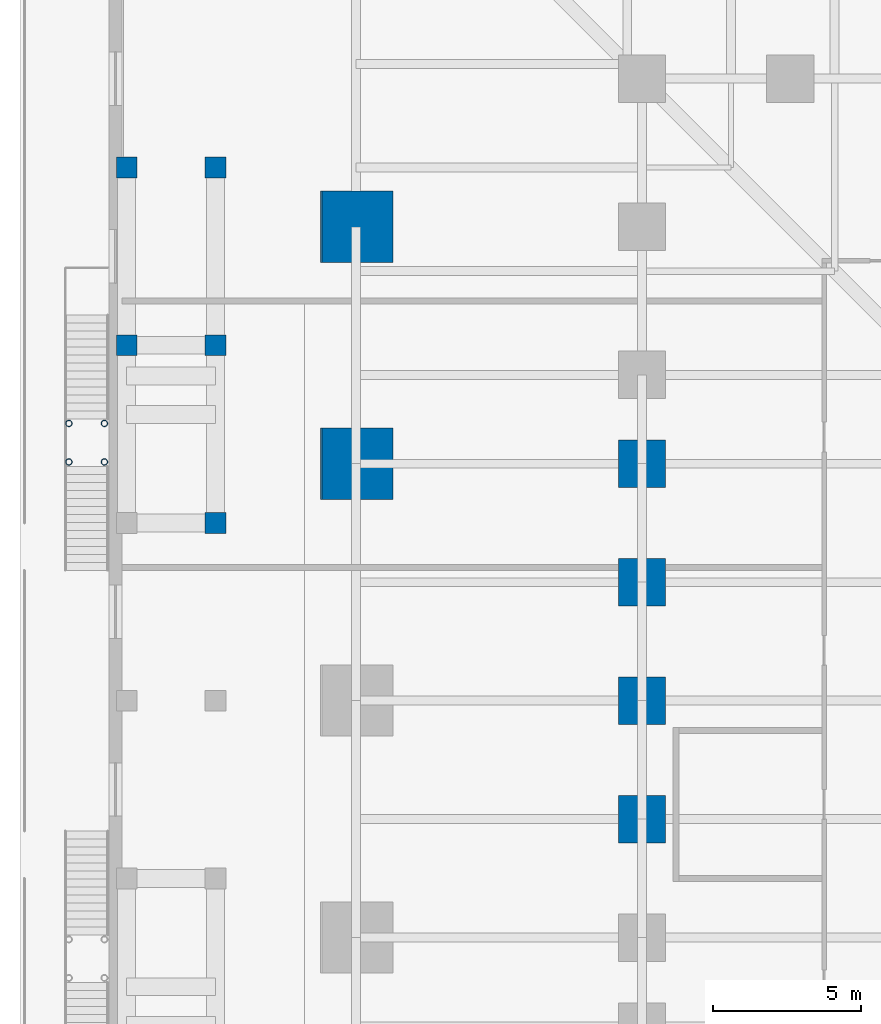
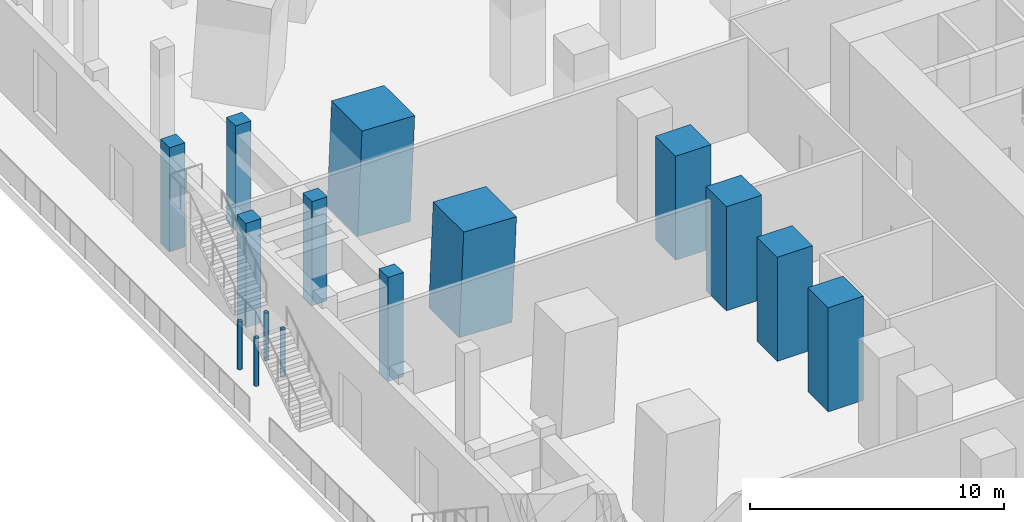
# One storey, part 4 of 22: 15 columns.
"""IFC4 building model written with IfcOpenShell, lengths in metres."""

from ifc_helpers import new_model, si_unit, direction, frame, origin, origin_2d, place, context, subcontext, project, spatial, rectangle, hollow_circle, extrude, material, material_profile, profile_set, type_object, element, save


model = new_model("IFC4")

# Units and contexts
model_context = context("Model", 3, precision=1e-05, world=origin(), true_north=direction((0.0, 1.0)))
body_context = subcontext(model_context, "Body", "Model", "MODEL_VIEW")
ifc_project = project(units=[si_unit("LENGTHUNIT", "METRE"), si_unit("AREAUNIT", "SQUARE_METRE"), si_unit("VOLUMEUNIT", "CUBIC_METRE"), si_unit("PLANEANGLEUNIT", "RADIAN"), si_unit("MASSUNIT", "GRAM", prefix="KILO")], contexts=[model_context])

# Site, building, storey
site_placement = place(None, origin())
site = spatial("IfcSite", under=ifc_project, at=site_placement, CompositionType="ELEMENT")
building_placement = place(site_placement, origin())
building = spatial("IfcBuilding", under=site, at=building_placement, Name="Peilmerk Tower", CompositionType="ELEMENT")
storey_placement = place(building_placement, frame((0.0, 0.0, 6.0)))
storey = spatial("IfcBuildingStorey", under=building, at=storey_placement, Name="L01", CompositionType="ELEMENT", Elevation=6.0)

# Columns
ifc_material_1 = material(Name="Concrete C55/67", Category="concrete")
ifc_material_profile_1 = material_profile(ifc_material_1, rectangle(XDim=0.699951171875, YDim=0.699951171875, at=origin_2d()), Name="RC 700x700")
ifc_profile_set_1 = profile_set([ifc_material_profile_1], Name="Concrete C55/67")
column_type_1 = type_object("IfcColumnType", Name="PC1 700x700 podium column", PredefinedType="COLUMN", material=ifc_profile_set_1)
for number, where, z_axis, x_axis, name in (
    (1, (-35.39990234375, 6.0, 0.0), (0.0, 0.0, 1.0), (1.0, 0.0, 0.0), "Podium column ring A L01"),
    (2, (-35.39990234375, 12.0, 0.0), (0.0, 0.0, 1.0), (1.0, 0.0, 0.0), "Podium column ring A L01"),
    (3, (-35.39990234375, 18.0, 0.0), (0.0, 0.0, 1.0), (1.0, 0.0, 0.0), "Podium column ring A L01"),
    (4, (-38.39990234375, 12.0, 0.0), (0.0, 0.0, 1.0), (1.0, 0.0, 0.0), "Podium column ring B L01"),
    (5, (-38.39990234375, 18.0, 0.0), (0.0, 0.0, 1.0), (1.0, 0.0, 0.0), "Podium column ring B L01"),
):
    element("IfcColumn", number, at=place(storey_placement, frame(where, z_axis=z_axis, x_axis=x_axis)), inside=storey, type_object=column_type_1, Name=name, PredefinedType="COLUMN", context=body_context, shape_type="SweptSolid", body=[
        extrude(rectangle(XDim=0.699951171875, YDim=0.699951171875, at=origin_2d()), origin(), (0.0, 0.0, 1.0), 5.0),
    ])
ifc_material_2 = material(Name="Concrete C90/105", Category="concrete")
ifc_material_profile_2 = material_profile(ifc_material_2, rectangle(XDim=2.39990234375, YDim=2.39990234375, at=origin_2d()), Name="RC 2400x2400")
ifc_profile_set_2 = profile_set([ifc_material_profile_2], Name="Concrete C90/105")
column_type_2 = type_object("IfcColumnType", Name="SC1 2400x2400 encased perimeter column", PredefinedType="COLUMN", material=ifc_profile_set_2)
for number, where, z_axis, x_axis, name in (
    (6, (-30.65478515625, 8.0, 0.0), (0.040299267708, 0.0, 0.999187654559), (0.0, 1.0, 0.0), "Perimeter column W-8 L01"),
    (7, (-30.65478515625, 16.0, 0.0), (0.040299267708, 0.0, 0.999187654559), (0.0, 1.0, 0.0), "Perimeter column W-16 L01"),
):
    element("IfcColumn", number, at=place(storey_placement, frame(where, z_axis=z_axis, x_axis=x_axis)), inside=storey, type_object=column_type_2, Name=name, PredefinedType="COLUMN", context=body_context, shape_type="SweptSolid", body=[
        extrude(rectangle(XDim=2.39990234375, YDim=2.39990234375, at=origin_2d()), origin(), (0.0, 0.0, 1.0), 5.004150390625),
    ])
ifc_material_3 = material(Name="Steel S355", Category="steel")
ifc_material_profile_3 = material_profile(ifc_material_3, hollow_circle(Radius=0.109619140625, WallThickness=0.012451171875, at=origin_2d()), Name="CHS 219.1x12.5")
ifc_profile_set_3 = profile_set([ifc_material_profile_3], Name="Steel S355")
column_type_3 = type_object("IfcColumnType", Name="SC12 CHS 219.1x12.5 external stair post", PredefinedType="COLUMN", material=ifc_profile_set_3)
for number, where, z_axis, x_axis, name in (
    (8, (-40.35009765625, 8.06005859375, 0.0), (0.0, 0.0, 1.0), (1.0, 0.0, 0.0), "External stair 5 post L01"),
    (9, (-39.14990234375, 8.06005859375, 0.0), (0.0, 0.0, 1.0), (1.0, 0.0, 0.0), "External stair 5 post L01"),
    (10, (-40.35009765625, 9.360107421875, 0.0), (0.0, 0.0, 1.0), (1.0, 0.0, 0.0), "External stair 5 post L01"),
    (11, (-39.14990234375, 9.360107421875, 0.0), (0.0, 0.0, 1.0), (1.0, 0.0, 0.0), "External stair 5 post L01"),
):
    element("IfcColumn", number, at=place(storey_placement, frame(where, z_axis=z_axis, x_axis=x_axis)), inside=storey, type_object=column_type_3, Name=name, PredefinedType="COLUMN", context=body_context, shape_type="SweptSolid", body=[
        extrude(hollow_circle(Radius=0.109619140625, WallThickness=0.012451171875, at=origin_2d()), origin(), (0.0, 0.0, 1.0), 2.300048828125),
    ])
ifc_material_profile_4 = material_profile(ifc_material_2, rectangle(XDim=1.60009765625, YDim=1.60009765625, at=origin_2d()), Name="RC 1600x1600")
ifc_profile_set_4 = profile_set([ifc_material_profile_4], Name="Concrete C90/105")
column_type_4 = type_object("IfcColumnType", Name="SC2 1600x1600 encased interior column", PredefinedType="COLUMN", material=ifc_profile_set_4)
for number, where, z_axis, x_axis, name in (
    (12, (-21.0, 0.0, 0.0), (0.0, 0.0, 1.0), (1.0, 0.0, 0.0), "Interior column W+0 L01"),
    (13, (-21.0, 4.0, 0.0), (0.0, 0.0, 1.0), (1.0, 0.0, 0.0), "Interior column W-4 L01"),
    (14, (-21.0, -4.0, 0.0), (0.0, 0.0, 1.0), (1.0, 0.0, 0.0), "Interior column W+4 L01"),
    (15, (-21.0, 8.0, 0.0), (0.0, 0.0, 1.0), (1.0, 0.0, 0.0), "Interior column W-8 L01"),
):
    element("IfcColumn", number, at=place(storey_placement, frame(where, z_axis=z_axis, x_axis=x_axis)), inside=storey, type_object=column_type_4, Name=name, PredefinedType="COLUMN", context=body_context, shape_type="SweptSolid", body=[
        extrude(rectangle(XDim=1.60009765625, YDim=1.60009765625, at=origin_2d()), origin(), (0.0, 0.0, 1.0), 5.0),
    ])

save(model, "model.ifc")
